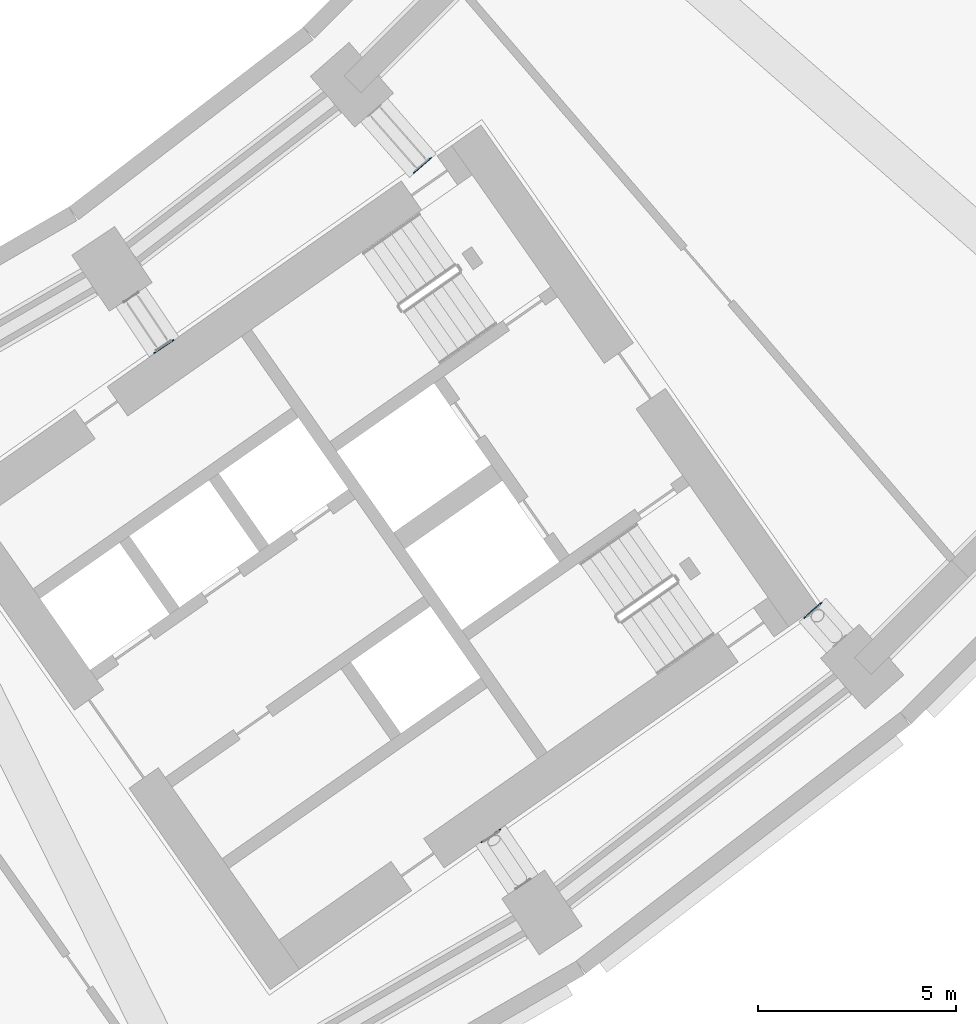
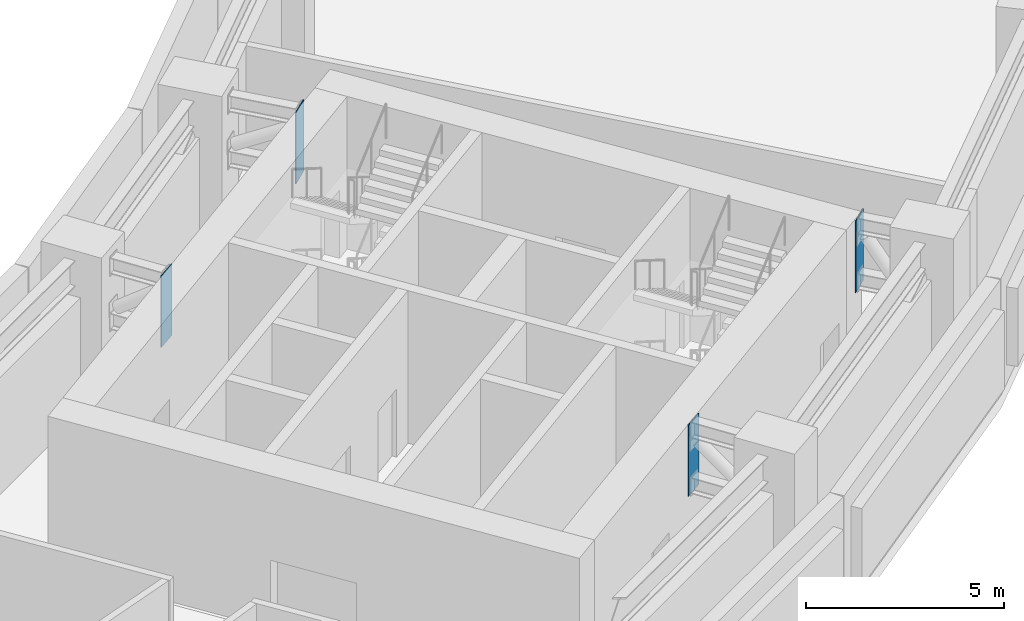
# One storey, part 10 of 25: 4 discrete accessories.
"""IFC4 building model written with IfcOpenShell, lengths in metres."""

from ifc_helpers import new_model, si_unit, direction, frame, origin, origin_2d, place, context, subcontext, project, spatial, rectangle, extrude, material, layer, layer_set, type_object, element, save


model = new_model("IFC4")

# Units and contexts
model_context = context("Model", 3, precision=1e-05, world=origin(), true_north=direction((0.0, 1.0)))
body_context = subcontext(model_context, "Body", "Model", "MODEL_VIEW")
ifc_project = project(units=[si_unit("LENGTHUNIT", "METRE"), si_unit("AREAUNIT", "SQUARE_METRE"), si_unit("VOLUMEUNIT", "CUBIC_METRE"), si_unit("PLANEANGLEUNIT", "RADIAN"), si_unit("MASSUNIT", "GRAM", prefix="KILO")], contexts=[model_context])

# Site, building, storey
site_placement = place(None, origin())
site = spatial("IfcSite", under=ifc_project, at=site_placement, CompositionType="ELEMENT")
building_placement = place(site_placement, origin())
building = spatial("IfcBuilding", under=site, at=building_placement, Name="Qamariyya Broadcast Tower", CompositionType="ELEMENT")
storey_placement = place(building_placement, frame((0.0, 0.0, 89.89990234375)))
storey = spatial("IfcBuildingStorey", under=building, at=storey_placement, Name="L19", CompositionType="ELEMENT", Elevation=89.89990234375)

# Discrete accessories
ifc_material = material(Name="Steel S355", Category="steel")
ifc_layer = layer(ifc_material, 0.02490234375)
ifc_layer_set = layer_set([ifc_layer], Name="Cast-in plate 25 Steel S355")
discrete_accessory_type = type_object("IfcDiscreteAccessoryType", Name="Cast-in plate 25 Steel S355", PredefinedType="ANCHORPLATE", material=ifc_layer_set)
for number, where, z_axis, x_axis, name in (
    (1, (33.668701171875, -50.388671875, 2.5), (0.0, 0.0, 1.0), (-0.831469612303, -0.55557023302, 0.0), "Cast-in plate CP1 L19 R15"),
    (2, (41.906982421875, -62.718017578125, 2.5), (0.0, 0.0, 1.0), (-0.831469612303, -0.55557023302, 0.0), "Cast-in plate CP1 L19 R15"),
    (3, (40.18701171875, -45.824462890625, 2.5), (0.0, 0.0, 1.0), (-0.751839807479, -0.6593458151, 0.0), "Cast-in plate CP1 L19 R16"),
    (4, (50.020263671875, -57.037109375, 2.5), (0.0, 0.0, 1.0), (-0.751839807479, -0.6593458151, 0.0), "Cast-in plate CP1 L19 R16"),
):
    element("IfcDiscreteAccessory", number, at=place(storey_placement, frame(where, z_axis=z_axis, x_axis=x_axis)), inside=storey, type_object=discrete_accessory_type, Name=name, PredefinedType="ANCHORPLATE", context=body_context, shape_type="SweptSolid", body=[
        extrude(rectangle(XDim=0.60009765625, YDim=0.02490234375, at=origin_2d()), origin(), (0.0, 0.0, 1.0), 2.199951171875),
    ])

save(model, "model.ifc")
